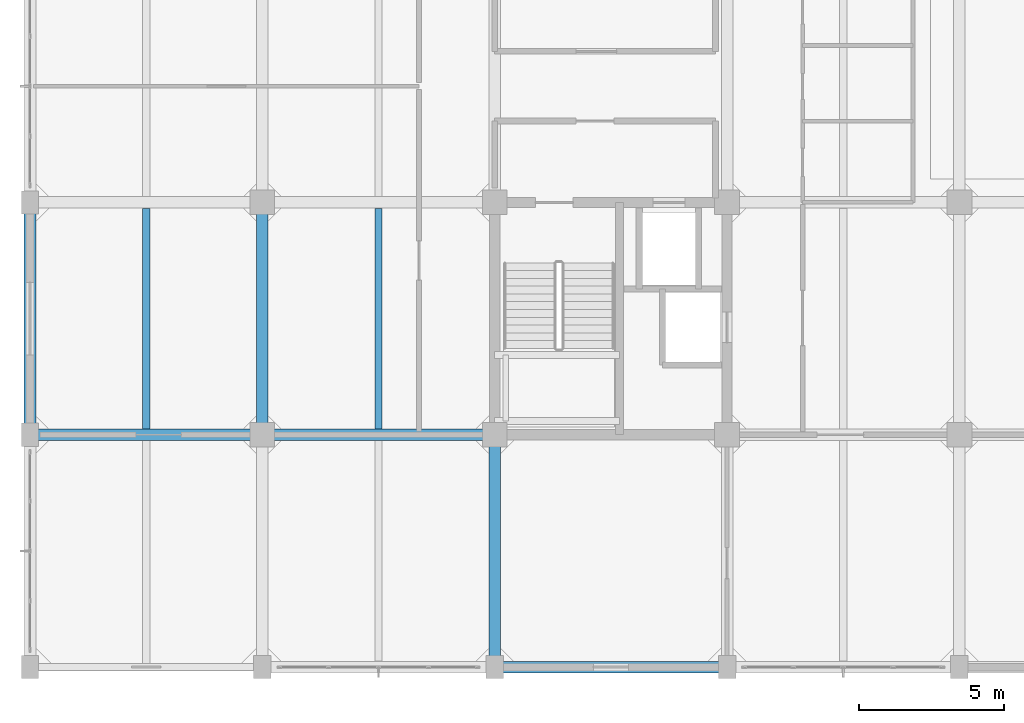
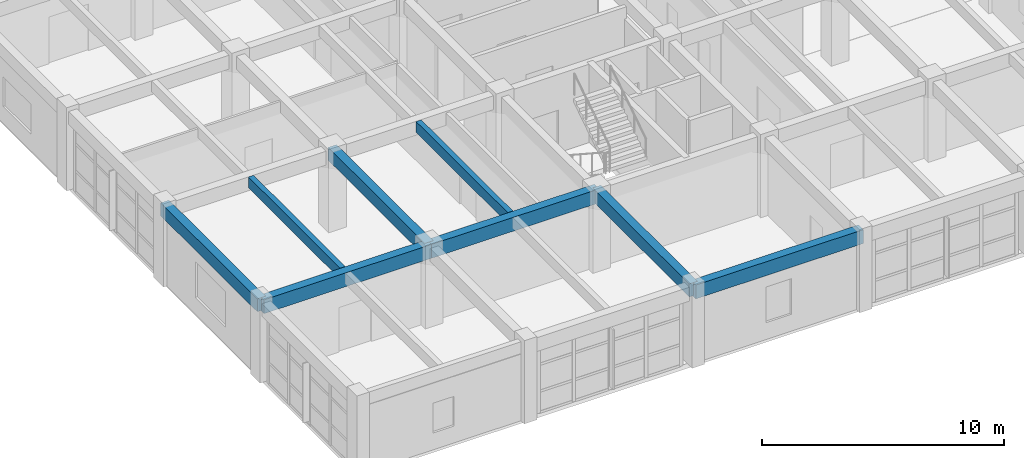
# One storey, part 4 of 27: 8 beams.
"""IFC4 building model written with IfcOpenShell, lengths in metres."""

from ifc_helpers import new_model, si_unit, direction, frame, origin, origin_2d, place, context, subcontext, project, spatial, rectangle, extrude, material, material_profile, profile_set, type_object, element, save


model = new_model("IFC4")

# Units and contexts
model_context = context("Model", 3, precision=1e-05, world=origin(), true_north=direction((0.0, 1.0)))
body_context = subcontext(model_context, "Body", "Model", "MODEL_VIEW")
ifc_project = project(units=[si_unit("LENGTHUNIT", "METRE"), si_unit("AREAUNIT", "SQUARE_METRE"), si_unit("VOLUMEUNIT", "CUBIC_METRE"), si_unit("PLANEANGLEUNIT", "RADIAN"), si_unit("MASSUNIT", "GRAM", prefix="KILO")], contexts=[model_context])

# Site, building, storey
site_placement = place(None, origin())
site = spatial("IfcSite", under=ifc_project, at=site_placement, CompositionType="ELEMENT")
building_placement = place(site_placement, origin())
building = spatial("IfcBuilding", under=site, at=building_placement, Name="Canggui Botanical Conservatory", CompositionType="ELEMENT")
storey_placement = place(building_placement, frame((0.0, 0.0, 31.800048828125)))
storey = spatial("IfcBuildingStorey", under=building, at=storey_placement, Name="L08", CompositionType="ELEMENT", Elevation=31.800048828125)

# Beams
ifc_material = material(Name="Concrete C35", Category="concrete")
ifc_material_profile_1 = material_profile(ifc_material, rectangle(XDim=0.25, YDim=0.550048828125, at=origin_2d()), Name="RB 250x550")
ifc_profile_set_1 = profile_set([ifc_material_profile_1], Name="Concrete C35")
beam_type_1 = type_object("IfcBeamType", Name="BM-JST03", PredefinedType="JOIST", material=ifc_profile_set_1)
for number, where, z_axis, x_axis, name in (
    (1, (142.0, 42.205078125, 3.704833984375), (0.0, 1.0, 0.0), (-1.0, 0.0, 0.0), "Secondary Floor Joist L08-1-2"),
    (2, (150.0, 42.205078125, 3.704833984375), (0.0, 1.0, 0.0), (-1.0, 0.0, 0.0), "Secondary Floor Joist L08-2-2"),
):
    element("IfcBeam", number, at=place(storey_placement, frame(where, z_axis=z_axis, x_axis=x_axis)), inside=storey, type_object=beam_type_1, Name=name, PredefinedType="JOIST", context=body_context, shape_type="SweptSolid", body=[
        extrude(rectangle(XDim=0.25, YDim=0.550048828125, at=origin_2d()), origin(), (0.0, 0.0, 1.0), 7.58984375),
    ])
ifc_material_profile_2 = material_profile(ifc_material, rectangle(XDim=0.39990234375, YDim=0.699951171875, at=origin_2d()), Name="RB 400x700")
ifc_profile_set_2 = profile_set([ifc_material_profile_2], Name="Concrete C35")
beam_type_2 = type_object("IfcBeamType", Name="BM-KL11", PredefinedType="BEAM", material=ifc_profile_set_2)
for number, where, z_axis, x_axis, name in (
    (3, (154.0, 34.0, 3.6298828125), (1.0, 0.0, 0.0), (0.0, 1.0, 0.0), "Frame Girder L08 Y34-3"),
    (4, (138.0, 42.0, 3.6298828125), (1.0, 0.0, 0.0), (0.0, 1.0, 0.0), "Frame Girder L08 Y42-1"),
    (5, (146.0, 42.0, 3.6298828125), (1.0, 0.0, 0.0), (0.0, 1.0, 0.0), "Frame Girder L08 Y42-2"),
):
    element("IfcBeam", number, at=place(storey_placement, frame(where, z_axis=z_axis, x_axis=x_axis)), inside=storey, type_object=beam_type_2, Name=name, PredefinedType="BEAM", context=body_context, shape_type="SweptSolid", body=[
        extrude(rectangle(XDim=0.39990234375, YDim=0.699951171875, at=origin_2d()), origin(), (0.0, 0.0, 1.0), 8.0),
    ])
ifc_material_profile_3 = material_profile(ifc_material, rectangle(XDim=0.39990234375, YDim=0.64990234375, at=origin_2d()), Name="RB 400x650")
ifc_profile_set_3 = profile_set([ifc_material_profile_3], Name="Concrete C35")
beam_type_3 = type_object("IfcBeamType", Name="BM-KL12", PredefinedType="BEAM", material=ifc_profile_set_3)
for number, where, z_axis, x_axis, name in (
    (6, (138.0, 42.0, 3.655029296875), (0.0, 1.0, 0.0), (-1.0, 0.0, 0.0), "Frame Girder L08 X138-2"),
    (7, (146.0, 42.0, 3.655029296875), (0.0, 1.0, 0.0), (-1.0, 0.0, 0.0), "Frame Girder L08 X146-2"),
    (8, (154.0, 34.0, 3.655029296875), (0.0, 1.0, 0.0), (-1.0, 0.0, 0.0), "Frame Girder L08 X154-1"),
):
    element("IfcBeam", number, at=place(storey_placement, frame(where, z_axis=z_axis, x_axis=x_axis)), inside=storey, type_object=beam_type_3, Name=name, PredefinedType="BEAM", context=body_context, shape_type="SweptSolid", body=[
        extrude(rectangle(XDim=0.39990234375, YDim=0.64990234375, at=origin_2d()), origin(), (0.0, 0.0, 1.0), 8.0),
    ])

save(model, "model.ifc")
